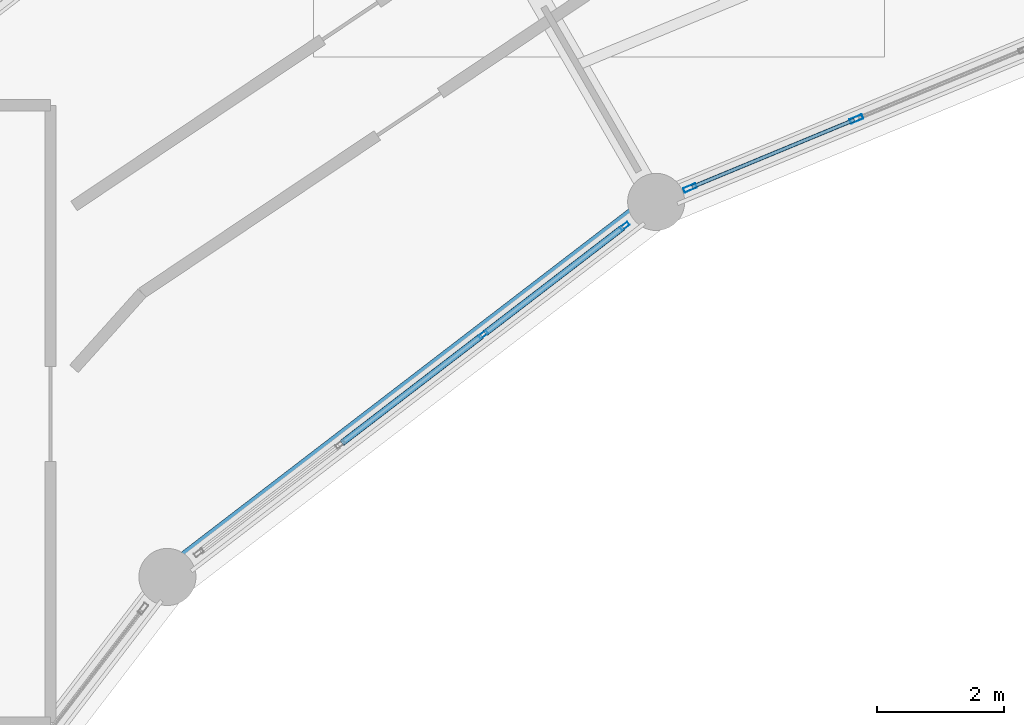
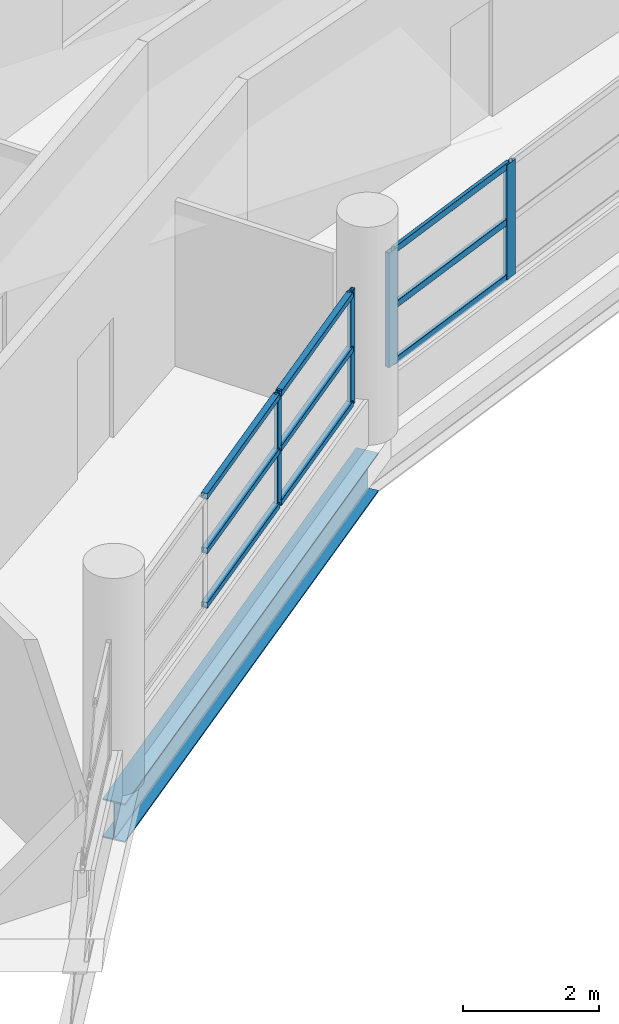
# One storey, part 62 of 108: 13 members, 1 beam, 2 elements without a shape of their own.
"""IFC4 building model written with IfcOpenShell, lengths in metres."""

from ifc_helpers import new_model, si_unit, direction, frame, origin, origin_2d, place, context, subcontext, project, spatial, hollow_rectangle, i_section, extrude, material, layer, layer_set, material_profile, profile_set, type_object, element, aggregate, save


model = new_model("IFC4")

# Units and contexts
model_context = context("Model", 3, precision=1e-05, world=origin(), true_north=direction((0.0, 1.0)))
body_context = subcontext(model_context, "Body", "Model", "MODEL_VIEW")
ifc_project = project(units=[si_unit("LENGTHUNIT", "METRE"), si_unit("AREAUNIT", "SQUARE_METRE"), si_unit("VOLUMEUNIT", "CUBIC_METRE"), si_unit("PLANEANGLEUNIT", "RADIAN"), si_unit("MASSUNIT", "GRAM", prefix="KILO")], contexts=[model_context])

# Site, building, storey
site_placement = place(None, origin())
site = spatial("IfcSite", under=ifc_project, at=site_placement, CompositionType="ELEMENT")
building_placement = place(site_placement, origin())
building = spatial("IfcBuilding", under=site, at=building_placement, Name="Vespera Passage Community Centre", CompositionType="ELEMENT")
storey_placement = place(building_placement, frame((0.0, 0.0, 12.60009765625)))
storey = spatial("IfcBuildingStorey", under=building, at=storey_placement, Name="L03", CompositionType="ELEMENT", Elevation=12.60009765625)

# Beam
ifc_material_1 = material(Name="Steel ASTM A992 Grade 50", Category="steel")
ifc_material_profile_1 = material_profile(ifc_material_1, i_section(OverallWidth=0.3544921875, OverallDepth=0.695556640625, WebThickness=0.015380859375, FlangeThickness=0.024658203125, FilletRadius=0.01513671875, at=origin_2d()), Name="W27X146")
ifc_profile_set_1 = profile_set([ifc_material_profile_1], Name="Steel ASTM A992 Grade 50")
beam_type = type_object("IfcBeamType", Name="BM-SP-W27X146E", PredefinedType="SPANDREL", material=ifc_profile_set_1)
beam_placement = place(storey_placement, frame((59.39990234375, 97.716064453125, -0.747802734375), z_axis=(-0.793359869694, -0.60875291963, 0.0), x_axis=(0.60875291963, -0.793359869694, 0.0)))
element("IfcBeam", 1, at=beam_placement, inside=storey, type_object=beam_type, Name="V4 L03 Inner Spandrel 8", PredefinedType="SPANDREL", context=body_context, shape_type="SweptSolid", body=[
    extrude(i_section(OverallWidth=0.3544921875, OverallDepth=0.695556640625, WebThickness=0.015380859375, FlangeThickness=0.024658203125, FilletRadius=0.01513671875, at=origin_2d()), origin(), (0.0, 0.0, 1.0), 9.7109375),
])

# Curtain wall, members
ifc_material_2 = material(Name="Anodized aluminium 6063-T6", Category="aluminium")
ifc_layer_1 = layer(ifc_material_2, 0.159912109375)
ifc_layer_set_1 = layer_set([ifc_layer_1], Name="Anodized aluminium 6063-T6")
curtain_wall_type_1 = type_object("IfcCurtainWallType", Name="CW-45E", PredefinedType="NOTDEFINED", material=ifc_layer_set_1)
curtain_wall_1_placement = place(storey_placement, origin())
curtain_wall_1 = element("IfcCurtainWall", 2, at=curtain_wall_1_placement, inside=storey, type_object=curtain_wall_type_1, Name="V4 L03 Inner Court Curtain Wall 8", PredefinedType="NOTDEFINED")
ifc_material_3 = material(Name="Anodized aluminium 6063-T6", Category="aluminium")
ifc_material_profile_2 = material_profile(ifc_material_3, hollow_rectangle(XDim=0.06494140625, YDim=0.14990234375, WallThickness=0.00390625, InnerFilletRadius=0.001953125, OuterFilletRadius=0.00390625, at=origin_2d()), Name="ALU150X65X4")
ifc_profile_set_2 = profile_set([ifc_material_profile_2], Name="Anodized aluminium 6063-T6")
member_type_1 = type_object("IfcMemberType", Name="MB-CWM-150E", PredefinedType="MULLION", material=ifc_profile_set_2)
member_1_placement = place(storey_placement, frame((58.903564453125, 97.335205078125, 0.81982421875), z_axis=(0.0, 0.0, 1.0), x_axis=(0.608755087843, -0.793358205999, 0.0)))
member_1 = element("IfcMember", 3, at=member_1_placement, type_object=member_type_1, Name="CW-45E mullion 1", PredefinedType="MULLION", context=body_context, shape_type="SweptSolid", body=[
    extrude(hollow_rectangle(XDim=0.06494140625, YDim=0.14990234375, WallThickness=0.00390625, InnerFilletRadius=0.001953125, OuterFilletRadius=0.00390625, at=origin_2d()), origin(), (0.0, 0.0, 1.0), 2.049560546875),
])
member_2_placement = place(storey_placement, frame((56.675048828125, 95.625244140625, 0.81982421875), z_axis=(0.0, 0.0, 1.0), x_axis=(0.608755087843, -0.793358205999, 0.0)))
member_2 = element("IfcMember", 4, at=member_2_placement, type_object=member_type_1, Name="CW-45E mullion 2", PredefinedType="MULLION", context=body_context, shape_type="SweptSolid", body=[
    extrude(hollow_rectangle(XDim=0.06494140625, YDim=0.14990234375, WallThickness=0.00390625, InnerFilletRadius=0.001953125, OuterFilletRadius=0.00390625, at=origin_2d()), origin(), (0.0, 0.0, 1.0), 2.049560546875),
])

ifc_material_4 = material(Name="Anodized aluminium 6063-T6", Category="aluminium")
ifc_layer_2 = layer(ifc_material_4, 0.159912109375)
ifc_layer_set_2 = layer_set([ifc_layer_2], Name="Anodized aluminium 6063-T6")
curtain_wall_type_2 = type_object("IfcCurtainWallType", Name="CW-40E", PredefinedType="NOTDEFINED", material=ifc_layer_set_2)
curtain_wall_2_placement = place(storey_placement, origin())
curtain_wall_2 = element("IfcCurtainWall", 5, at=curtain_wall_2_placement, inside=storey, type_object=curtain_wall_type_2, Name="V4 L03 Inner Court Curtain Wall 7", PredefinedType="NOTDEFINED")
ifc_material_5 = material(Name="Anodized aluminium 6063-T6", Category="aluminium")
ifc_material_profile_3 = material_profile(ifc_material_5, hollow_rectangle(XDim=0.074951171875, YDim=0.2099609375, WallThickness=0.0048828125, InnerFilletRadius=0.00244140625, OuterFilletRadius=0.0048828125, at=origin_2d()), Name="ALU210X75X5")
ifc_profile_set_3 = profile_set([ifc_material_profile_3], Name="Anodized aluminium 6063-T6")
member_type_2 = type_object("IfcMemberType", Name="MB-CWM-210E", PredefinedType="MULLION", material=ifc_profile_set_3)
member_3_placement = place(storey_placement, frame((62.556884765625, 99.023681640625, 0.81982421875), z_axis=(0.0, 0.0, 1.0), x_axis=(0.382690463482, -0.923876620096, 0.0)))
member_3 = element("IfcMember", 6, at=member_3_placement, type_object=member_type_2, Name="CW-40E mullion 3", PredefinedType="MULLION", context=body_context, shape_type="SweptSolid", body=[
    extrude(hollow_rectangle(XDim=0.074951171875, YDim=0.2099609375, WallThickness=0.0048828125, InnerFilletRadius=0.00244140625, OuterFilletRadius=0.0048828125, at=origin_2d()), origin(), (0.0, 0.0, 1.0), 2.049560546875),
])
member_4_placement = place(storey_placement, frame((59.933349609375, 97.93701171875, 0.81982421875), z_axis=(0.0, 0.0, 1.0), x_axis=(0.382690463482, -0.923876620096, 0.0)))
member_4 = element("IfcMember", 7, at=member_4_placement, type_object=member_type_2, Name="CW-40E mullion 4", PredefinedType="MULLION", context=body_context, shape_type="SweptSolid", body=[
    extrude(hollow_rectangle(XDim=0.074951171875, YDim=0.2099609375, WallThickness=0.0048828125, InnerFilletRadius=0.00244140625, OuterFilletRadius=0.0048828125, at=origin_2d()), origin(), (0.0, 0.0, 1.0), 2.049560546875),
])

# Member
ifc_material_6 = material(Name="Anodized aluminium 6063-T6", Category="aluminium")
ifc_material_profile_4 = material_profile(ifc_material_6, hollow_rectangle(XDim=0.10009765625, YDim=0.10009765625, WallThickness=0.00390625, InnerFilletRadius=0.001953125, OuterFilletRadius=0.00390625, at=origin_2d()), Name="ALU100X100X4")
ifc_profile_set_4 = profile_set([ifc_material_profile_4], Name="Anodized aluminium 6063-T6")
member_type_3 = type_object("IfcMemberType", Name="MB-CWT-100E", PredefinedType="USERDEFINED", material=ifc_profile_set_4)
member_5_placement = place(storey_placement, frame((58.8779296875, 97.3154296875, 0.869873046875), z_axis=(-0.793397254086, -0.608704195162, 0.0), x_axis=(0.608704195162, -0.793397254086, 0.0)))
member_5 = element("IfcMember", 8, at=member_5_placement, type_object=member_type_3, Name="CW-45E transom 1.1", ObjectType="TRANSOM", PredefinedType="USERDEFINED", context=body_context, shape_type="SweptSolid", body=[
    extrude(hollow_rectangle(XDim=0.10009765625, YDim=0.10009765625, WallThickness=0.00390625, InnerFilletRadius=0.001953125, OuterFilletRadius=0.00390625, at=origin_2d()), origin(), (0.0, 0.0, 1.0), 2.744140625),
])

member_6_placement = place(storey_placement, frame((58.8779296875, 97.3154296875, 1.844482421875), z_axis=(-0.793397254086, -0.608704195162, 0.0), x_axis=(0.608704195162, -0.793397254086, 0.0)))
member_6 = element("IfcMember", 9, at=member_6_placement, type_object=member_type_3, Name="CW-45E transom 1.2", ObjectType="TRANSOM", PredefinedType="USERDEFINED", context=body_context, shape_type="SweptSolid", body=[
    extrude(hollow_rectangle(XDim=0.10009765625, YDim=0.10009765625, WallThickness=0.00390625, InnerFilletRadius=0.001953125, OuterFilletRadius=0.00390625, at=origin_2d()), origin(), (0.0, 0.0, 1.0), 2.744140625),
])

member_7_placement = place(storey_placement, frame((58.8779296875, 97.3154296875, 2.8193359375), z_axis=(-0.793397254086, -0.608704195162, 0.0), x_axis=(0.608704195162, -0.793397254086, 0.0)))
member_7 = element("IfcMember", 10, at=member_7_placement, type_object=member_type_3, Name="CW-45E transom 1.3", ObjectType="TRANSOM", PredefinedType="USERDEFINED", context=body_context, shape_type="SweptSolid", body=[
    extrude(hollow_rectangle(XDim=0.10009765625, YDim=0.10009765625, WallThickness=0.00390625, InnerFilletRadius=0.001953125, OuterFilletRadius=0.00390625, at=origin_2d()), origin(), (0.0, 0.0, 1.0), 2.744140625),
])

member_8_placement = place(storey_placement, frame((56.649169921875, 95.60546875, 0.869873046875), z_axis=(-0.793335989748, -0.60878404001, 0.0), x_axis=(0.60878404001, -0.793335989748, 0.0)))
member_8 = element("IfcMember", 11, at=member_8_placement, type_object=member_type_3, Name="CW-45E transom 2.1", ObjectType="TRANSOM", PredefinedType="USERDEFINED", context=body_context, shape_type="SweptSolid", body=[
    extrude(hollow_rectangle(XDim=0.10009765625, YDim=0.10009765625, WallThickness=0.00390625, InnerFilletRadius=0.001953125, OuterFilletRadius=0.00390625, at=origin_2d()), origin(), (0.0, 0.0, 1.0), 2.776611328125),
])

member_9_placement = place(storey_placement, frame((56.649169921875, 95.60546875, 1.844482421875), z_axis=(-0.793335989748, -0.60878404001, 0.0), x_axis=(0.60878404001, -0.793335989748, 0.0)))
member_9 = element("IfcMember", 12, at=member_9_placement, type_object=member_type_3, Name="CW-45E transom 2.2", ObjectType="TRANSOM", PredefinedType="USERDEFINED", context=body_context, shape_type="SweptSolid", body=[
    extrude(hollow_rectangle(XDim=0.10009765625, YDim=0.10009765625, WallThickness=0.00390625, InnerFilletRadius=0.001953125, OuterFilletRadius=0.00390625, at=origin_2d()), origin(), (0.0, 0.0, 1.0), 2.776611328125),
])

member_10_placement = place(storey_placement, frame((56.649169921875, 95.60546875, 2.8193359375), z_axis=(-0.793335989748, -0.60878404001, 0.0), x_axis=(0.60878404001, -0.793335989748, 0.0)))
member_10 = element("IfcMember", 13, at=member_10_placement, type_object=member_type_3, Name="CW-45E transom 2.3", ObjectType="TRANSOM", PredefinedType="USERDEFINED", context=body_context, shape_type="SweptSolid", body=[
    extrude(hollow_rectangle(XDim=0.10009765625, YDim=0.10009765625, WallThickness=0.00390625, InnerFilletRadius=0.001953125, OuterFilletRadius=0.00390625, at=origin_2d()), origin(), (0.0, 0.0, 1.0), 2.776611328125),
])

aggregate(curtain_wall_1, [member_1, member_2, member_5, member_6, member_7, member_8, member_9, member_10])

ifc_material_7 = material(Name="Anodized aluminium 6063-T6", Category="aluminium")
ifc_material_profile_5 = material_profile(ifc_material_7, hollow_rectangle(XDim=0.06005859375, YDim=0.1201171875, WallThickness=0.00390625, InnerFilletRadius=0.001953125, OuterFilletRadius=0.00390625, at=origin_2d()), Name="ALU120X60X4")
ifc_profile_set_5 = profile_set([ifc_material_profile_5], Name="Anodized aluminium 6063-T6")
member_type_4 = type_object("IfcMemberType", Name="MB-CWT-120E", PredefinedType="USERDEFINED", material=ifc_profile_set_5)
member_11_placement = place(storey_placement, frame((62.522216796875, 99.00927734375, 0.849853515625), z_axis=(-0.923908142805, -0.382614353701, 0.0), x_axis=(0.382614353701, -0.923908142805, 0.0)))
member_11 = element("IfcMember", 14, at=member_11_placement, type_object=member_type_4, Name="CW-40E transom 3.1", ObjectType="TRANSOM", PredefinedType="USERDEFINED", context=body_context, shape_type="SweptSolid", body=[
    extrude(hollow_rectangle(XDim=0.06005859375, YDim=0.1201171875, WallThickness=0.00390625, InnerFilletRadius=0.001953125, OuterFilletRadius=0.00390625, at=origin_2d()), origin(), (0.0, 0.0, 1.0), 2.764892578125),
])

member_12_placement = place(storey_placement, frame((62.522216796875, 99.00927734375, 1.844482421875), z_axis=(-0.923908142805, -0.382614353701, 0.0), x_axis=(0.382614353701, -0.923908142805, 0.0)))
member_12 = element("IfcMember", 15, at=member_12_placement, type_object=member_type_4, Name="CW-40E transom 3.2", ObjectType="TRANSOM", PredefinedType="USERDEFINED", context=body_context, shape_type="SweptSolid", body=[
    extrude(hollow_rectangle(XDim=0.06005859375, YDim=0.1201171875, WallThickness=0.00390625, InnerFilletRadius=0.001953125, OuterFilletRadius=0.00390625, at=origin_2d()), origin(), (0.0, 0.0, 1.0), 2.764892578125),
])

member_13_placement = place(storey_placement, frame((62.522216796875, 99.00927734375, 2.83935546875), z_axis=(-0.923908142805, -0.382614353701, 0.0), x_axis=(0.382614353701, -0.923908142805, 0.0)))
member_13 = element("IfcMember", 16, at=member_13_placement, type_object=member_type_4, Name="CW-40E transom 3.3", ObjectType="TRANSOM", PredefinedType="USERDEFINED", context=body_context, shape_type="SweptSolid", body=[
    extrude(hollow_rectangle(XDim=0.06005859375, YDim=0.1201171875, WallThickness=0.00390625, InnerFilletRadius=0.001953125, OuterFilletRadius=0.00390625, at=origin_2d()), origin(), (0.0, 0.0, 1.0), 2.764892578125),
])

aggregate(curtain_wall_2, [member_3, member_4, member_11, member_12, member_13])

save(model, "model.ifc")
